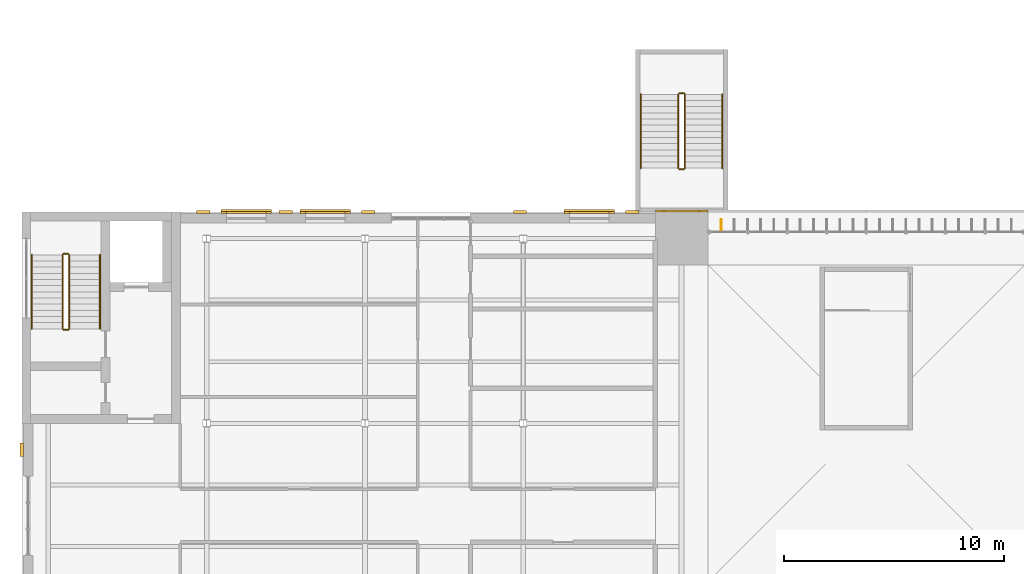
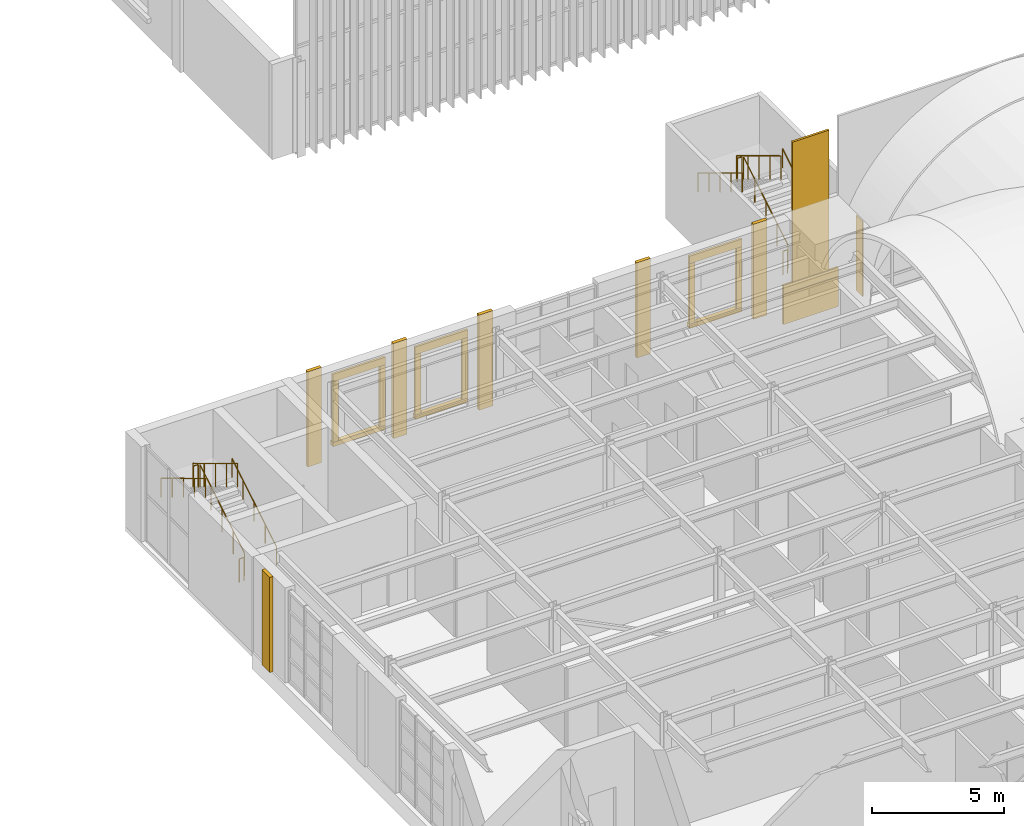
# One storey, part 150 of 169: 21 coverings, 12 railings, 1 shading device.
"""IFC4 building model written with IfcOpenShell, lengths in metres."""

from ifc_helpers import new_model, si_unit, direction, frame, origin, origin_2d, place, context, subcontext, project, spatial, polyline, rectangle, circle, outline, extrude, material, layer, layer_set, type_object, element, save


model = new_model("IFC4")

# Units and contexts
model_context = context("Model", 3, precision=1e-05, world=origin(), true_north=direction((0.0, 1.0)))
body_context = subcontext(model_context, "Body", "Model", "MODEL_VIEW")
ifc_project = project(units=[si_unit("LENGTHUNIT", "METRE"), si_unit("AREAUNIT", "SQUARE_METRE"), si_unit("VOLUMEUNIT", "CUBIC_METRE"), si_unit("PLANEANGLEUNIT", "RADIAN"), si_unit("MASSUNIT", "GRAM", prefix="KILO")], contexts=[model_context])

# Site, building, storey
site_placement = place(None, origin())
site = spatial("IfcSite", under=ifc_project, at=site_placement, CompositionType="ELEMENT")
building_placement = place(site_placement, origin())
building = spatial("IfcBuilding", under=site, at=building_placement, Name="Verrick Yard Athletic Hall", CompositionType="ELEMENT")
storey_placement = place(building_placement, frame((0.0, 0.0, 4.39990234375)))
storey = spatial("IfcBuildingStorey", under=building, at=storey_placement, Name="L01", CompositionType="ELEMENT", Elevation=4.39990234375)

# Shading device
ifc_material_1 = material(Name="Anodised aluminium", Category="aluminium")
ifc_layer_1 = layer(ifc_material_1, 0.0400390625)
ifc_layer_set_1 = layer_set([ifc_layer_1], Name="Arcade fin")
shading_device_type = type_object("IfcShadingDeviceType", Name="Arcade fin", PredefinedType="USERDEFINED", material=ifc_layer_set_1)
shading_device_placement = place(storey_placement, frame((41.800048828125, 53.17626953125, 0.0), z_axis=(0.0, 0.0, 1.0), x_axis=(0.0, 1.0, 0.0)))
element("IfcShadingDevice", 1, at=shading_device_placement, inside=storey, type_object=shading_device_type, Name="Fin RN1.1", ObjectType="FIN", PredefinedType="USERDEFINED", context=body_context, shape_type="SweptSolid", body=[
    extrude(outline(polyline([(0.0, 0.0), (0.5, 0.0), (0.5, 3.4775390625), (0.0, 3.4775390625), (0.0, 0.0)])), frame((0.0, 0.02001953125, 0.0), z_axis=(0.0, -1.0, 0.0), x_axis=(1.0, 0.0, 0.0)), (0.0, 0.0, 1.0), 0.0400390625),
])

# Coverings
ifc_material_2 = material(Name="Limestone cladding", Category="masonry")
ifc_layer_2 = layer(ifc_material_2, 0.10009765625)
ifc_layer_set_2 = layer_set([ifc_layer_2], Name="Impost and capital moulding")
covering_type_1 = type_object("IfcCoveringType", Name="Impost and capital moulding", PredefinedType="MOLDING", material=ifc_layer_set_2)
covering_1_placement = place(storey_placement, frame((40.0, 54.050048828125, 0.650146484375), z_axis=(0.0, 0.0, 1.0), x_axis=(1.0, 0.0, 0.0)))
element("IfcCovering", 2, at=covering_1_placement, inside=storey, type_object=covering_type_1, Name="Impost N1", PredefinedType="MOLDING", context=body_context, shape_type="SweptSolid", body=[
    extrude(rectangle(XDim=2.39990234375, YDim=0.10009765625, at=origin_2d()), origin(), (0.0, 0.0, 1.0), 0.39990234375),
])
ifc_material_3 = material(Name="Rusticated limestone cladding", Category="masonry")
ifc_layer_3 = layer(ifc_material_3, 0.10009765625)
ifc_layer_set_3 = layer_set([ifc_layer_3], Name="Pier base cladding")
covering_type_2 = type_object("IfcCoveringType", Name="Pier base cladding", PredefinedType="CLADDING", material=ifc_layer_set_3)
covering_2_placement = place(storey_placement, frame((40.0, 54.050048828125, -0.749755859375), z_axis=(0.0, 0.0, 1.0), x_axis=(1.0, 0.0, 0.0)))
element("IfcCovering", 3, at=covering_2_placement, inside=storey, type_object=covering_type_2, Name="Pier string N1", PredefinedType="CLADDING", context=body_context, shape_type="SweptSolid", body=[
    extrude(rectangle(XDim=2.39990234375, YDim=0.10009765625, at=origin_2d()), origin(), (0.0, 0.0, 1.0), 1.39990234375),
])
ifc_layer_4 = layer(ifc_material_2, 0.10009765625)
ifc_layer_set_4 = layer_set([ifc_layer_4], Name="Pilaster cladding")
covering_type_3 = type_object("IfcCoveringType", Name="Pilaster cladding", PredefinedType="CLADDING", material=ifc_layer_set_4)
covering_3_placement = place(storey_placement, frame((40.0, 54.050048828125, 1.050048828125), z_axis=(0.0, 0.0, 1.0), x_axis=(1.0, 0.0, 0.0)))
element("IfcCovering", 4, at=covering_3_placement, inside=storey, type_object=covering_type_3, Name="Pilaster N1", PredefinedType="CLADDING", context=body_context, shape_type="SweptSolid", body=[
    extrude(rectangle(XDim=1.60009765625, YDim=0.10009765625, at=origin_2d()), origin(), (0.0, 0.0, 1.0), 6.5),
])

# Railings
ifc_material_4 = material(Name="Stainless steel", Category="steel")
railing_type_1 = type_object("IfcRailingType", Name="Stair and core guard 1100", PredefinedType="GUARDRAIL", material=ifc_material_4)
railing_1_placement = place(storey_placement, frame((12.14990234375, 48.699951171875, 0.16943359375)))
element("IfcRailing", 5, at=railing_1_placement, inside=storey, type_object=railing_type_1, Name="L01 Wing north-west stair guard 1", PredefinedType="GUARDRAIL", context=body_context, shape_type="SweptSolid", body=[
    extrude(circle(Radius=0.02392578125, at=origin_2d()), frame((0.0, 0.0, 1.076171875), z_axis=(0.0, 0.855836976705, 0.517245656632), x_axis=(-1.0, 0.0, 0.0)), (0.0, 0.0, 1.0), 3.926025390625),
    extrude(circle(Radius=0.02099609375, at=origin_2d()), origin(), (0.0, 0.0, 1.0), 1.052001953125),
    extrude(circle(Radius=0.02099609375, at=origin_2d()), frame((0.0, 0.840087890625, 0.5078125)), (0.0, 0.0, 1.0), 1.052001953125),
    extrude(circle(Radius=0.02099609375, at=origin_2d()), frame((0.0, 1.68017578125, 1.015380859375)), (0.0, 0.0, 1.0), 1.052001953125),
    extrude(circle(Radius=0.02099609375, at=origin_2d()), frame((0.0, 2.52001953125, 1.52294921875)), (0.0, 0.0, 1.0), 1.052001953125),
    extrude(circle(Radius=0.02099609375, at=origin_2d()), frame((0.0, 3.360107421875, 2.03076171875)), (0.0, 0.0, 1.0), 1.052001953125),
])
railing_2_placement = place(storey_placement, frame((12.10009765625, 52.110107421875, 2.2001953125)))
element("IfcRailing", 6, at=railing_2_placement, inside=storey, type_object=railing_type_1, Name="L01 Wing north-west stair guard 2", PredefinedType="GUARDRAIL", context=body_context, shape_type="SweptSolid", body=[
    extrude(circle(Radius=0.02392578125, at=origin_2d()), frame((0.0, 0.0, 1.076171875), z_axis=(-1.0, 0.0, 0.0), x_axis=(0.0, -1.0, 0.0)), (0.0, 0.0, 1.0), 0.2001953125),
    extrude(circle(Radius=0.02099609375, at=origin_2d()), origin(), (0.0, 0.0, 1.0), 1.052001953125),
    extrude(circle(Radius=0.02099609375, at=origin_2d()), frame((-0.2001953125, 0.0, 0.0)), (0.0, 0.0, 1.0), 1.052001953125),
])
railing_3_placement = place(storey_placement, frame((11.85009765625, 52.06005859375, 2.369384765625)))
element("IfcRailing", 7, at=railing_3_placement, inside=storey, type_object=railing_type_1, Name="L01 Wing north-west stair guard 3", PredefinedType="GUARDRAIL", context=body_context, shape_type="SweptSolid", body=[
    extrude(circle(Radius=0.02392578125, at=origin_2d()), frame((0.0, 0.0, 1.076171875), z_axis=(0.0, -0.855836976705, 0.517245656632), x_axis=(1.0, 0.0, 0.0)), (0.0, 0.0, 1.0), 3.926025390625),
    extrude(circle(Radius=0.02099609375, at=origin_2d()), origin(), (0.0, 0.0, 1.0), 1.052001953125),
    extrude(circle(Radius=0.02099609375, at=origin_2d()), frame((0.0, -0.840087890625, 0.5078125)), (0.0, 0.0, 1.0), 1.052001953125),
    extrude(circle(Radius=0.02099609375, at=origin_2d()), frame((0.0, -1.68017578125, 1.015380859375)), (0.0, 0.0, 1.0), 1.052001953125),
    extrude(circle(Radius=0.02099609375, at=origin_2d()), frame((0.0, -2.52001953125, 1.52294921875)), (0.0, 0.0, 1.0), 1.052001953125),
    extrude(circle(Radius=0.02099609375, at=origin_2d()), frame((0.0, -3.360107421875, 2.03076171875)), (0.0, 0.0, 1.0), 1.052001953125),
])
railing_4_placement = place(storey_placement, frame((12.10009765625, 48.64990234375, 0.0)))
element("IfcRailing", 8, at=railing_4_placement, inside=storey, type_object=railing_type_1, Name="L01 Wing north-west stair guard 4", PredefinedType="GUARDRAIL", context=body_context, shape_type="SweptSolid", body=[
    extrude(circle(Radius=0.02392578125, at=origin_2d()), frame((0.0, 0.0, 1.076171875), z_axis=(-1.0, 0.0, 0.0), x_axis=(0.0, -1.0, 0.0)), (0.0, 0.0, 1.0), 0.2001953125),
    extrude(circle(Radius=0.02099609375, at=origin_2d()), origin(), (0.0, 0.0, 1.0), 1.052001953125),
    extrude(circle(Radius=0.02099609375, at=origin_2d()), frame((-0.2001953125, 0.0, 0.0)), (0.0, 0.0, 1.0), 1.052001953125),
])
railing_5_placement = place(storey_placement, frame((40.14990234375, 56.0, 0.16943359375)))
element("IfcRailing", 9, at=railing_5_placement, inside=storey, type_object=railing_type_1, Name="L01 North deck escape 1 stair guard 1", PredefinedType="GUARDRAIL", context=body_context, shape_type="SweptSolid", body=[
    extrude(circle(Radius=0.02392578125, at=origin_2d()), frame((0.0, 0.0, 1.076171875), z_axis=(0.0, 0.855836976705, 0.517245656632), x_axis=(-1.0, 0.0, 0.0)), (0.0, 0.0, 1.0), 3.926025390625),
    extrude(circle(Radius=0.02099609375, at=origin_2d()), origin(), (0.0, 0.0, 1.0), 1.052001953125),
    extrude(circle(Radius=0.02099609375, at=origin_2d()), frame((0.0, 0.840087890625, 0.5078125)), (0.0, 0.0, 1.0), 1.052001953125),
    extrude(circle(Radius=0.02099609375, at=origin_2d()), frame((0.0, 1.68017578125, 1.015380859375)), (0.0, 0.0, 1.0), 1.052001953125),
    extrude(circle(Radius=0.02099609375, at=origin_2d()), frame((0.0, 2.52001953125, 1.52294921875)), (0.0, 0.0, 1.0), 1.052001953125),
    extrude(circle(Radius=0.02099609375, at=origin_2d()), frame((0.0, 3.360107421875, 2.03076171875)), (0.0, 0.0, 1.0), 1.052001953125),
])
railing_6_placement = place(storey_placement, frame((40.10009765625, 59.409912109375, 2.2001953125)))
element("IfcRailing", 10, at=railing_6_placement, inside=storey, type_object=railing_type_1, Name="L01 North deck escape 1 stair guard 2", PredefinedType="GUARDRAIL", context=body_context, shape_type="SweptSolid", body=[
    extrude(circle(Radius=0.02392578125, at=origin_2d()), frame((0.0, 0.0, 1.076171875), z_axis=(-1.0, 0.0, 0.0), x_axis=(0.0, -1.0, 0.0)), (0.0, 0.0, 1.0), 0.2001953125),
    extrude(circle(Radius=0.02099609375, at=origin_2d()), origin(), (0.0, 0.0, 1.0), 1.052001953125),
    extrude(circle(Radius=0.02099609375, at=origin_2d()), frame((-0.2001953125, 0.0, 0.0)), (0.0, 0.0, 1.0), 1.052001953125),
])
railing_7_placement = place(storey_placement, frame((39.85009765625, 59.360107421875, 2.369384765625)))
element("IfcRailing", 11, at=railing_7_placement, inside=storey, type_object=railing_type_1, Name="L01 North deck escape 1 stair guard 3", PredefinedType="GUARDRAIL", context=body_context, shape_type="SweptSolid", body=[
    extrude(circle(Radius=0.02392578125, at=origin_2d()), frame((0.0, 0.0, 1.076171875), z_axis=(0.0, -0.855836976705, 0.517245656632), x_axis=(1.0, 0.0, 0.0)), (0.0, 0.0, 1.0), 3.926025390625),
    extrude(circle(Radius=0.02099609375, at=origin_2d()), origin(), (0.0, 0.0, 1.0), 1.052001953125),
    extrude(circle(Radius=0.02099609375, at=origin_2d()), frame((0.0, -0.840087890625, 0.5078125)), (0.0, 0.0, 1.0), 1.052001953125),
    extrude(circle(Radius=0.02099609375, at=origin_2d()), frame((0.0, -1.68017578125, 1.015380859375)), (0.0, 0.0, 1.0), 1.052001953125),
    extrude(circle(Radius=0.02099609375, at=origin_2d()), frame((0.0, -2.52001953125, 1.52294921875)), (0.0, 0.0, 1.0), 1.052001953125),
    extrude(circle(Radius=0.02099609375, at=origin_2d()), frame((0.0, -3.360107421875, 2.03076171875)), (0.0, 0.0, 1.0), 1.052001953125),
])
railing_8_placement = place(storey_placement, frame((40.10009765625, 55.949951171875, 0.0)))
element("IfcRailing", 12, at=railing_8_placement, inside=storey, type_object=railing_type_1, Name="L01 North deck escape 1 stair guard 4", PredefinedType="GUARDRAIL", context=body_context, shape_type="SweptSolid", body=[
    extrude(circle(Radius=0.02392578125, at=origin_2d()), frame((0.0, 0.0, 1.076171875), z_axis=(-1.0, 0.0, 0.0), x_axis=(0.0, -1.0, 0.0)), (0.0, 0.0, 1.0), 0.2001953125),
    extrude(circle(Radius=0.02099609375, at=origin_2d()), origin(), (0.0, 0.0, 1.0), 1.052001953125),
    extrude(circle(Radius=0.02099609375, at=origin_2d()), frame((-0.2001953125, 0.0, 0.0)), (0.0, 0.0, 1.0), 1.052001953125),
])
railing_type_2 = type_object("IfcRailingType", Name="Stair handrail 900", PredefinedType="HANDRAIL", material=ifc_material_4)
railing_9_placement = place(storey_placement, frame((13.550048828125, 48.699951171875, 0.16943359375)))
element("IfcRailing", 13, at=railing_9_placement, inside=storey, type_object=railing_type_2, Name="L01 Wing north-west stair handrail 1", PredefinedType="HANDRAIL", context=body_context, shape_type="SweptSolid", body=[
    extrude(circle(Radius=0.02392578125, at=origin_2d()), frame((0.0, 0.0, 0.8759765625), z_axis=(0.0, 0.855836976705, 0.517245656632), x_axis=(-1.0, 0.0, 0.0)), (0.0, 0.0, 1.0), 3.926025390625),
    extrude(circle(Radius=0.02099609375, at=origin_2d()), origin(), (0.0, 0.0, 1.0), 0.851806640625),
    extrude(circle(Radius=0.02099609375, at=origin_2d()), frame((0.0, 0.840087890625, 0.5078125)), (0.0, 0.0, 1.0), 0.851806640625),
    extrude(circle(Radius=0.02099609375, at=origin_2d()), frame((0.0, 1.68017578125, 1.015380859375)), (0.0, 0.0, 1.0), 0.851806640625),
    extrude(circle(Radius=0.02099609375, at=origin_2d()), frame((0.0, 2.52001953125, 1.52294921875)), (0.0, 0.0, 1.0), 0.851806640625),
    extrude(circle(Radius=0.02099609375, at=origin_2d()), frame((0.0, 3.360107421875, 2.03076171875)), (0.0, 0.0, 1.0), 0.851806640625),
])
railing_10_placement = place(storey_placement, frame((10.449951171875, 52.06005859375, 2.369384765625)))
element("IfcRailing", 14, at=railing_10_placement, inside=storey, type_object=railing_type_2, Name="L01 Wing north-west stair handrail 2", PredefinedType="HANDRAIL", context=body_context, shape_type="SweptSolid", body=[
    extrude(circle(Radius=0.02392578125, at=origin_2d()), frame((0.0, 0.0, 0.8759765625), z_axis=(0.0, -0.855836976705, 0.517245656632), x_axis=(1.0, 0.0, 0.0)), (0.0, 0.0, 1.0), 3.926025390625),
    extrude(circle(Radius=0.02099609375, at=origin_2d()), origin(), (0.0, 0.0, 1.0), 0.851806640625),
    extrude(circle(Radius=0.02099609375, at=origin_2d()), frame((0.0, -0.840087890625, 0.5078125)), (0.0, 0.0, 1.0), 0.851806640625),
    extrude(circle(Radius=0.02099609375, at=origin_2d()), frame((0.0, -1.68017578125, 1.015380859375)), (0.0, 0.0, 1.0), 0.851806640625),
    extrude(circle(Radius=0.02099609375, at=origin_2d()), frame((0.0, -2.52001953125, 1.52294921875)), (0.0, 0.0, 1.0), 0.851806640625),
    extrude(circle(Radius=0.02099609375, at=origin_2d()), frame((0.0, -3.360107421875, 2.03076171875)), (0.0, 0.0, 1.0), 0.851806640625),
])
railing_11_placement = place(storey_placement, frame((41.85009765625, 56.0, 0.16943359375)))
element("IfcRailing", 15, at=railing_11_placement, inside=storey, type_object=railing_type_2, Name="L01 North deck escape 1 stair handrail 1", PredefinedType="HANDRAIL", context=body_context, shape_type="SweptSolid", body=[
    extrude(circle(Radius=0.02392578125, at=origin_2d()), frame((0.0, 0.0, 0.8759765625), z_axis=(0.0, 0.855836976705, 0.517245656632), x_axis=(-1.0, 0.0, 0.0)), (0.0, 0.0, 1.0), 3.926025390625),
    extrude(circle(Radius=0.02099609375, at=origin_2d()), origin(), (0.0, 0.0, 1.0), 0.851806640625),
    extrude(circle(Radius=0.02099609375, at=origin_2d()), frame((0.0, 0.840087890625, 0.5078125)), (0.0, 0.0, 1.0), 0.851806640625),
    extrude(circle(Radius=0.02099609375, at=origin_2d()), frame((0.0, 1.68017578125, 1.015380859375)), (0.0, 0.0, 1.0), 0.851806640625),
    extrude(circle(Radius=0.02099609375, at=origin_2d()), frame((0.0, 2.52001953125, 1.52294921875)), (0.0, 0.0, 1.0), 0.851806640625),
    extrude(circle(Radius=0.02099609375, at=origin_2d()), frame((0.0, 3.360107421875, 2.03076171875)), (0.0, 0.0, 1.0), 0.851806640625),
])
railing_12_placement = place(storey_placement, frame((38.14990234375, 59.360107421875, 2.369384765625)))
element("IfcRailing", 16, at=railing_12_placement, inside=storey, type_object=railing_type_2, Name="L01 North deck escape 1 stair handrail 2", PredefinedType="HANDRAIL", context=body_context, shape_type="SweptSolid", body=[
    extrude(circle(Radius=0.02392578125, at=origin_2d()), frame((0.0, 0.0, 0.8759765625), z_axis=(0.0, -0.855836976705, 0.517245656632), x_axis=(1.0, 0.0, 0.0)), (0.0, 0.0, 1.0), 3.926025390625),
    extrude(circle(Radius=0.02099609375, at=origin_2d()), origin(), (0.0, 0.0, 1.0), 0.851806640625),
    extrude(circle(Radius=0.02099609375, at=origin_2d()), frame((0.0, -0.840087890625, 0.5078125)), (0.0, 0.0, 1.0), 0.851806640625),
    extrude(circle(Radius=0.02099609375, at=origin_2d()), frame((0.0, -1.68017578125, 1.015380859375)), (0.0, 0.0, 1.0), 0.851806640625),
    extrude(circle(Radius=0.02099609375, at=origin_2d()), frame((0.0, -2.52001953125, 1.52294921875)), (0.0, 0.0, 1.0), 0.851806640625),
    extrude(circle(Radius=0.02099609375, at=origin_2d()), frame((0.0, -3.360107421875, 2.03076171875)), (0.0, 0.0, 1.0), 0.851806640625),
])

# Coverings
ifc_material_5 = material(Name="Tyndall-stone-look precast cladding", Category="masonry")
ifc_layer_5 = layer(ifc_material_5, 0.125)
ifc_layer_set_5 = layer_set([ifc_layer_5], Name="Stone cladding")
covering_type_4 = type_object("IfcCoveringType", Name="Stone cladding", PredefinedType="CLADDING", material=ifc_layer_set_5)
for number, where, z_axis, x_axis, name in (
    (17, (18.25, 54.012451171875, 0.000244140625), (0.0, 0.0, 1.0), (1.0, 0.0, 0.0), "Wing pilaster"),
    (18, (22.0, 54.012451171875, 0.000244140625), (0.0, 0.0, 1.0), (1.0, 0.0, 0.0), "Wing pilaster"),
    (19, (25.75, 54.012451171875, 0.000244140625), (0.0, 0.0, 1.0), (1.0, 0.0, 0.0), "Wing pilaster"),
    (20, (32.64990234375, 54.012451171875, 0.000244140625), (0.0, 0.0, 1.0), (1.0, 0.0, 0.0), "Wing pilaster"),
    (21, (37.75, 54.012451171875, 0.000244140625), (0.0, 0.0, 1.0), (1.0, 0.0, 0.0), "Wing pilaster"),
    (22, (9.987548828125, 43.199951171875, 0.000244140625), (0.0, 0.0, 1.0), (0.0, 1.0, 0.0), "Wing pilaster"),
):
    element("IfcCovering", number, at=place(storey_placement, frame(where, z_axis=z_axis, x_axis=x_axis)), inside=storey, type_object=covering_type_4, Name=name, PredefinedType="CLADDING", context=body_context, shape_type="SweptSolid", body=[
        extrude(rectangle(XDim=0.60009765625, YDim=0.14990234375, at=origin_2d()), origin(), (0.0, 0.0, 1.0), 4.39990234375),
    ])
ifc_layer_6 = layer(ifc_material_5, 0.25)
ifc_layer_set_6 = layer_set([ifc_layer_6], Name="Stone moulding")
covering_type_5 = type_object("IfcCoveringType", Name="Stone moulding", PredefinedType="MOLDING", material=ifc_layer_set_6)
covering_4_placement = place(storey_placement, frame((20.199951171875, 54.027587890625, 0.55029296875), z_axis=(0.0, 0.0, 1.0), x_axis=(1.0, 0.0, 0.0)))
element("IfcCovering", 23, at=covering_4_placement, inside=storey, type_object=covering_type_5, Name="Window sill", PredefinedType="MOLDING", context=body_context, shape_type="SweptSolid", body=[
    extrude(rectangle(XDim=2.300048828125, YDim=0.179931640625, at=origin_2d()), origin(), (0.0, 0.0, 1.0), 0.199951171875),
])
covering_5_placement = place(storey_placement, frame((20.199951171875, 53.987548828125, 3.550048828125), z_axis=(0.0, 0.0, 1.0), x_axis=(1.0, 0.0, 0.0)))
element("IfcCovering", 24, at=covering_5_placement, inside=storey, type_object=covering_type_5, Name="Window head", PredefinedType="MOLDING", context=body_context, shape_type="SweptSolid", body=[
    extrude(rectangle(XDim=2.300048828125, YDim=0.10009765625, at=origin_2d()), origin(), (0.0, 0.0, 1.0), 0.35009765625),
])
for number, where, z_axis, x_axis, name in (
    (25, (19.175048828125, 53.987548828125, 0.75), (0.0, 0.0, 1.0), (1.0, 0.0, 0.0), "Window jamb"),
    (26, (21.22509765625, 53.987548828125, 0.75), (0.0, 0.0, 1.0), (1.0, 0.0, 0.0), "Window jamb"),
):
    element("IfcCovering", number, at=place(storey_placement, frame(where, z_axis=z_axis, x_axis=x_axis)), inside=storey, type_object=covering_type_5, Name=name, PredefinedType="MOLDING", context=body_context, shape_type="SweptSolid", body=[
        extrude(rectangle(XDim=0.25, YDim=0.10009765625, at=origin_2d()), origin(), (0.0, 0.0, 1.0), 2.800048828125),
    ])
covering_6_placement = place(storey_placement, frame((23.800048828125, 54.027587890625, 0.55029296875), z_axis=(0.0, 0.0, 1.0), x_axis=(1.0, 0.0, 0.0)))
element("IfcCovering", 27, at=covering_6_placement, inside=storey, type_object=covering_type_5, Name="Window sill", PredefinedType="MOLDING", context=body_context, shape_type="SweptSolid", body=[
    extrude(rectangle(XDim=2.300048828125, YDim=0.179931640625, at=origin_2d()), origin(), (0.0, 0.0, 1.0), 0.199951171875),
])
covering_7_placement = place(storey_placement, frame((23.800048828125, 53.987548828125, 3.550048828125), z_axis=(0.0, 0.0, 1.0), x_axis=(1.0, 0.0, 0.0)))
element("IfcCovering", 28, at=covering_7_placement, inside=storey, type_object=covering_type_5, Name="Window head", PredefinedType="MOLDING", context=body_context, shape_type="SweptSolid", body=[
    extrude(rectangle(XDim=2.300048828125, YDim=0.10009765625, at=origin_2d()), origin(), (0.0, 0.0, 1.0), 0.35009765625),
])
for number, where, z_axis, x_axis, name in (
    (29, (22.77490234375, 53.987548828125, 0.75), (0.0, 0.0, 1.0), (1.0, 0.0, 0.0), "Window jamb"),
    (30, (24.824951171875, 53.987548828125, 0.75), (0.0, 0.0, 1.0), (1.0, 0.0, 0.0), "Window jamb"),
):
    element("IfcCovering", number, at=place(storey_placement, frame(where, z_axis=z_axis, x_axis=x_axis)), inside=storey, type_object=covering_type_5, Name=name, PredefinedType="MOLDING", context=body_context, shape_type="SweptSolid", body=[
        extrude(rectangle(XDim=0.25, YDim=0.10009765625, at=origin_2d()), origin(), (0.0, 0.0, 1.0), 2.800048828125),
    ])
covering_8_placement = place(storey_placement, frame((35.800048828125, 54.027587890625, 0.55029296875), z_axis=(0.0, 0.0, 1.0), x_axis=(1.0, 0.0, 0.0)))
element("IfcCovering", 31, at=covering_8_placement, inside=storey, type_object=covering_type_5, Name="Window sill", PredefinedType="MOLDING", context=body_context, shape_type="SweptSolid", body=[
    extrude(rectangle(XDim=2.300048828125, YDim=0.179931640625, at=origin_2d()), origin(), (0.0, 0.0, 1.0), 0.199951171875),
])
covering_9_placement = place(storey_placement, frame((35.800048828125, 53.987548828125, 3.550048828125), z_axis=(0.0, 0.0, 1.0), x_axis=(1.0, 0.0, 0.0)))
element("IfcCovering", 32, at=covering_9_placement, inside=storey, type_object=covering_type_5, Name="Window head", PredefinedType="MOLDING", context=body_context, shape_type="SweptSolid", body=[
    extrude(rectangle(XDim=2.300048828125, YDim=0.10009765625, at=origin_2d()), origin(), (0.0, 0.0, 1.0), 0.35009765625),
])
for number, where, z_axis, x_axis, name in (
    (33, (34.77490234375, 53.987548828125, 0.75), (0.0, 0.0, 1.0), (1.0, 0.0, 0.0), "Window jamb"),
    (34, (36.824951171875, 53.987548828125, 0.75), (0.0, 0.0, 1.0), (1.0, 0.0, 0.0), "Window jamb"),
):
    element("IfcCovering", number, at=place(storey_placement, frame(where, z_axis=z_axis, x_axis=x_axis)), inside=storey, type_object=covering_type_5, Name=name, PredefinedType="MOLDING", context=body_context, shape_type="SweptSolid", body=[
        extrude(rectangle(XDim=0.25, YDim=0.10009765625, at=origin_2d()), origin(), (0.0, 0.0, 1.0), 2.800048828125),
    ])

save(model, "model.ifc")
